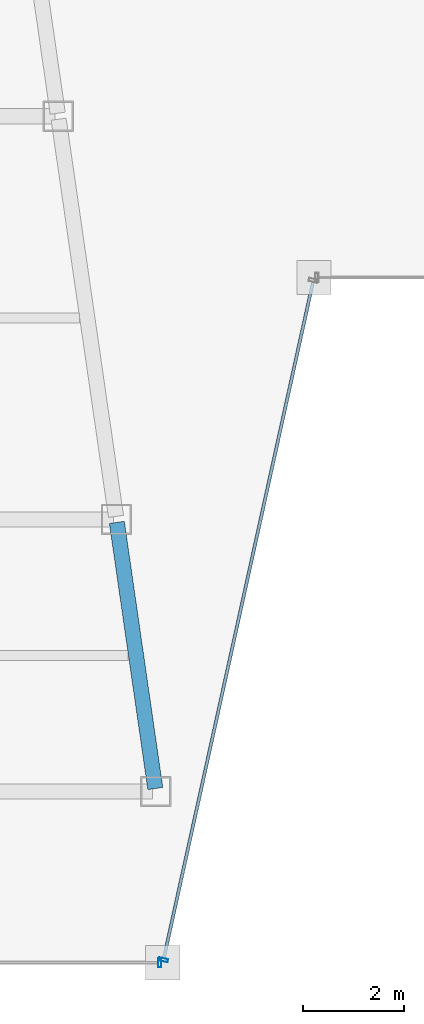
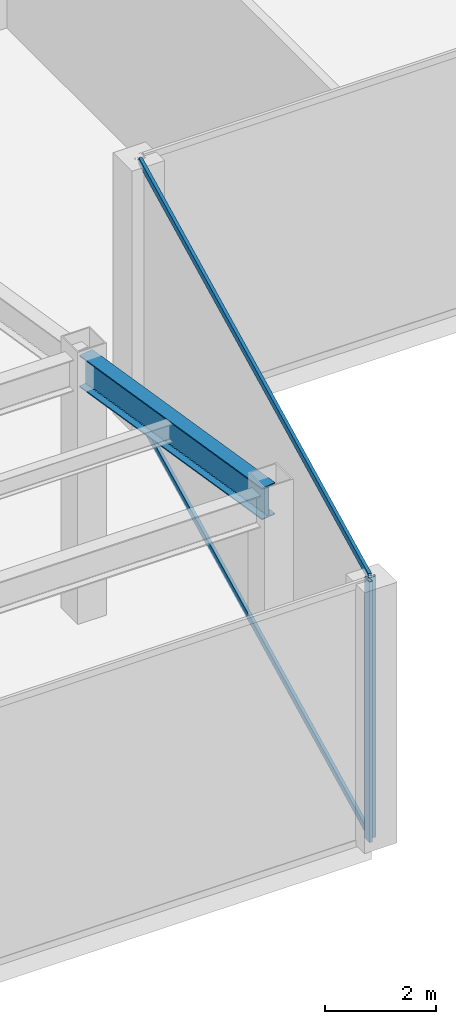
# One storey, part 5 of 30: 4 members, 1 beam, 2 elements without a shape of their own.
"""IFC4 building model written with IfcOpenShell, lengths in metres."""

from ifc_helpers import new_model, si_unit, direction, frame, origin, origin_2d, place, context, subcontext, project, spatial, hollow_rectangle, i_section, extrude, material, material_profile, profile_set, type_object, element, aggregate, save


model = new_model("IFC4")

# Units and contexts
model_context = context("Model", 3, precision=1e-05, world=origin(), true_north=direction((0.0, 1.0)))
body_context = subcontext(model_context, "Body", "Model", "MODEL_VIEW")
ifc_project = project(units=[si_unit("LENGTHUNIT", "METRE"), si_unit("AREAUNIT", "SQUARE_METRE"), si_unit("VOLUMEUNIT", "CUBIC_METRE"), si_unit("PLANEANGLEUNIT", "RADIAN"), si_unit("MASSUNIT", "GRAM", prefix="KILO")], contexts=[model_context])

# Site, building, storey
site_placement = place(None, origin())
site = spatial("IfcSite", under=ifc_project, at=site_placement, CompositionType="ELEMENT")
building_placement = place(site_placement, origin())
building = spatial("IfcBuilding", under=site, at=building_placement, Name="Saevonmaru Cultural Tower", CompositionType="ELEMENT")
storey_placement = place(building_placement, frame((0.0, 0.0, 123.60009765625)))
storey = spatial("IfcBuildingStorey", under=building, at=storey_placement, Name="L26", CompositionType="ELEMENT", Elevation=123.60009765625)

# Beam
ifc_material_1 = material(Name="Steel SM355", Category="steel")
ifc_material_profile_1 = material_profile(ifc_material_1, i_section(OverallWidth=0.300048828125, OverallDepth=0.699951171875, WebThickness=0.012939453125, FlangeThickness=0.02392578125, FilletRadius=0.02587890625, at=origin_2d()), Name="H-700x300x13x24")
ifc_profile_set_1 = profile_set([ifc_material_profile_1], Name="Steel SM355")
beam_type = type_object("IfcBeamType", Name="BM-G-H700", PredefinedType="BEAM", material=ifc_profile_set_1)
beam_placement = place(storey_placement, frame((22.699462890625, 10.659423828125, 5.39990234375), z_axis=(-0.142977693794, 0.989725911087, 0.0), x_axis=(-0.989725911087, -0.142977693794, 0.0)))
element("IfcBeam", 1, at=beam_placement, inside=storey, type_object=beam_type, Name="L26 West Atrium Girder 1", PredefinedType="BEAM", context=body_context, shape_type="SweptSolid", body=[
    extrude(i_section(OverallWidth=0.300048828125, OverallDepth=0.699951171875, WebThickness=0.012939453125, FlangeThickness=0.02392578125, FilletRadius=0.02587890625, at=origin_2d()), origin(), (0.0, 0.0, 1.0), 5.336181640625),
])

# Curtain wall, member
ifc_material_2 = material(Name="Satin Bronze Anodised Aluminium", Category="aluminium")
curtain_wall_type = type_object("IfcCurtainWallType", Name="CW-TYP-A", PredefinedType="NOTDEFINED", material=ifc_material_2)
curtain_wall_1_placement = place(storey_placement, origin())
curtain_wall_1 = element("IfcCurtainWall", 2, at=curtain_wall_1_placement, inside=storey, type_object=curtain_wall_type, Name="L26 Wind-Floor Acoustic Louvre Screen E2", PredefinedType="NOTDEFINED")
ifc_material_profile_2 = material_profile(ifc_material_2, hollow_rectangle(XDim=0.06494140625, YDim=0.179931640625, WallThickness=0.00390625, at=origin_2d()), Name="ALU-MULL-180x65x4")
ifc_profile_set_2 = profile_set([ifc_material_profile_2], Name="Satin Bronze Anodised Aluminium")
member_type_1 = type_object("IfcMemberType", Name="ML-CW-180x65", PredefinedType="MULLION", material=ifc_profile_set_2)
member_1_placement = place(storey_placement, frame((22.788818359375, 7.199951171875, 0.0), z_axis=(0.0, 0.0, 1.0), x_axis=(1.0, 0.0, 0.0)))
member_1 = element("IfcMember", 3, at=member_1_placement, type_object=member_type_1, Name="CW-TW-L26-E2 mullion 2", PredefinedType="MULLION", context=body_context, shape_type="SweptSolid", body=[
    extrude(hollow_rectangle(XDim=0.06494140625, YDim=0.179931640625, WallThickness=0.00390625, at=origin_2d()), origin(), (0.0, 0.0, 1.0), 5.75),
])
aggregate(curtain_wall_1, [member_1])

# Curtain wall, members
curtain_wall_2_placement = place(storey_placement, origin())
curtain_wall_2 = element("IfcCurtainWall", 4, at=curtain_wall_2_placement, inside=storey, type_object=curtain_wall_type, Name="L26 Wind-Floor Acoustic Louvre Screen E3", PredefinedType="NOTDEFINED")
member_2_placement = place(storey_placement, frame((22.86181640625, 7.258544921875, 0.0), z_axis=(0.0, 0.0, 1.0), x_axis=(0.215413319953, 0.976522965212, 0.0)))
member_2 = element("IfcMember", 5, at=member_2_placement, type_object=member_type_1, Name="CW-TW-L26-E3 mullion 1", PredefinedType="MULLION", context=body_context, shape_type="SweptSolid", body=[
    extrude(hollow_rectangle(XDim=0.06494140625, YDim=0.179931640625, WallThickness=0.00390625, at=origin_2d()), origin(), (0.0, 0.0, 1.0), 5.75),
])
ifc_material_profile_3 = material_profile(ifc_material_2, hollow_rectangle(XDim=0.06494140625, YDim=0.14990234375, WallThickness=0.00390625, at=origin_2d()), Name="ALU-TRAN-150x65x4")
ifc_profile_set_3 = profile_set([ifc_material_profile_3], Name="Satin Bronze Anodised Aluminium")
member_type_2 = type_object("IfcMemberType", Name="TR-CW-150x65", PredefinedType="USERDEFINED", material=ifc_profile_set_3)
member_3_placement = place(storey_placement, frame((22.868896484375, 7.290283203125, 0.032470703125), z_axis=(0.21541214732, 0.976523223885, 0.0), x_axis=(-0.976523223885, 0.21541214732, 0.0)))
member_3 = element("IfcMember", 6, at=member_3_placement, type_object=member_type_2, Name="CW-TW-L26-E3 transom 1.1", ObjectType="TRANSOM", PredefinedType="USERDEFINED", context=body_context, shape_type="SweptSolid", body=[
    extrude(hollow_rectangle(XDim=0.06494140625, YDim=0.14990234375, WallThickness=0.00390625, at=origin_2d()), origin(), (0.0, 0.0, 1.0), 13.741943359375),
])
member_4_placement = place(storey_placement, frame((22.868896484375, 7.290283203125, 5.71728515625), z_axis=(0.21541214732, 0.976523223885, 0.0), x_axis=(-0.976523223885, 0.21541214732, 0.0)))
member_4 = element("IfcMember", 7, at=member_4_placement, type_object=member_type_2, Name="CW-TW-L26-E3 transom 1.2", ObjectType="TRANSOM", PredefinedType="USERDEFINED", context=body_context, shape_type="SweptSolid", body=[
    extrude(hollow_rectangle(XDim=0.06494140625, YDim=0.14990234375, WallThickness=0.00390625, at=origin_2d()), origin(), (0.0, 0.0, 1.0), 13.741943359375),
])
aggregate(curtain_wall_2, [member_2, member_3, member_4])

save(model, "model.ifc")
